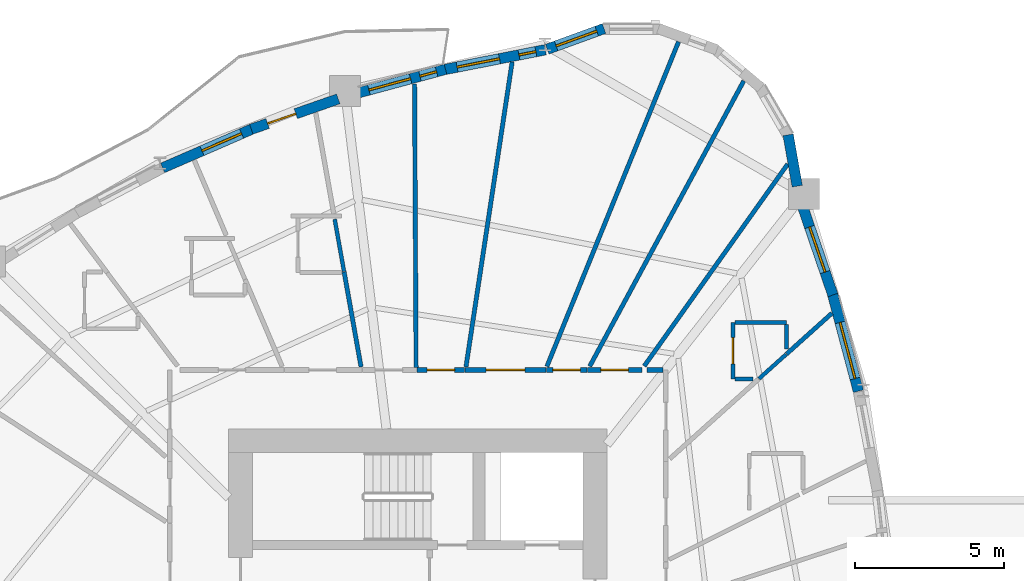
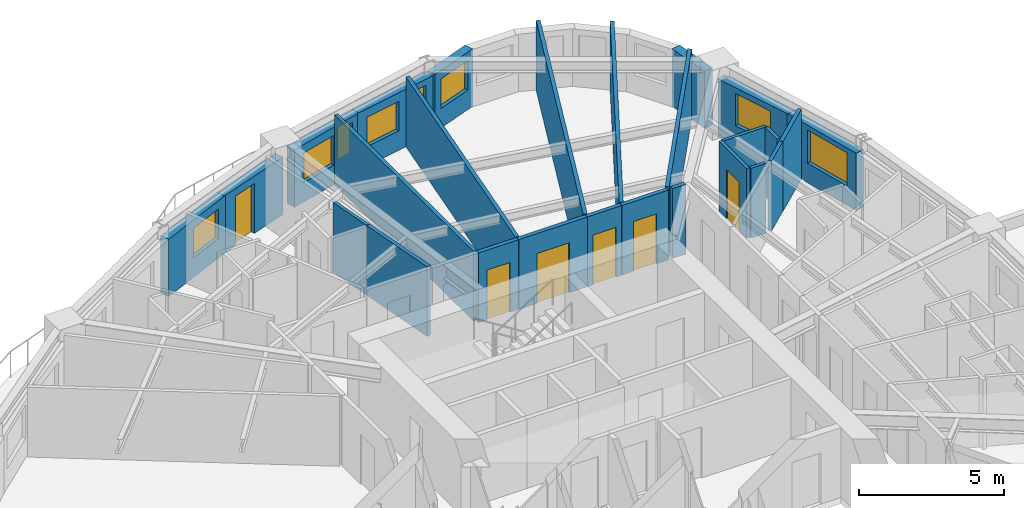
# One storey, part 9 of 15: 26 walls, 8 windows, 6 doors, 14 openings.
"""IFC4 building model written with IfcOpenShell, lengths in metres."""

from ifc_helpers import new_model, si_unit, direction, frame, frame_2d, origin, place, context, subcontext, project, spatial, rectangle, extrude, source, transform, mapped, material, layer, layer_set, type_object, element, fill, save


model = new_model("IFC4")

# Units and contexts
model_context = context("Model", 3, precision=1e-05, world=origin(), true_north=direction((0.0, 1.0)))
body_context = subcontext(model_context, "Body", "Model", "MODEL_VIEW")
ifc_project = project(units=[si_unit("LENGTHUNIT", "METRE"), si_unit("AREAUNIT", "SQUARE_METRE"), si_unit("VOLUMEUNIT", "CUBIC_METRE"), si_unit("PLANEANGLEUNIT", "RADIAN"), si_unit("MASSUNIT", "GRAM", prefix="KILO")], contexts=[model_context])

# Site, building, storey
site_placement = place(None, origin())
site = spatial("IfcSite", under=ifc_project, at=site_placement, CompositionType="ELEMENT")
building_placement = place(site_placement, origin())
building = spatial("IfcBuilding", under=site, at=building_placement, Name="Qafzar Sky-Pleat Residences", CompositionType="ELEMENT")
storey_placement = place(building_placement, frame((0.0, 0.0, 36.60009765625)))
storey = spatial("IfcBuildingStorey", under=building, at=storey_placement, Name="L10", CompositionType="ELEMENT", Elevation=36.60009765625)

# Wall, opening, door
ifc_material_1 = material(Name="Acoustic gypsum plasterboard partition", Category="gypsum")
ifc_layer_1 = layer(ifc_material_1, 0.159912109375)
ifc_layer_set_1 = layer_set([ifc_layer_1], Name="Acoustic gypsum plasterboard partition")
wall_type_1 = type_object("IfcWallType", Name="PART-COR-160", PredefinedType="PARTITIONING", material=ifc_layer_set_1)
wall_1_placement = place(storey_placement, frame((31.93798828125, 36.580078125, 0.0), z_axis=(0.0, 0.0, 1.0), x_axis=(1.0, 0.0, 0.0)))
wall_1 = element("IfcWall", 1, at=wall_1_placement, inside=storey, type_object=wall_type_1, Name="L10 Partition Wall PART-L10-PW-013", PredefinedType="PARTITIONING", context=body_context, shape_type="SweptSolid", body=[
    extrude(rectangle(XDim=2.718017578125, YDim=0.159912109375, at=frame_2d((1.35888671875, 0.0))), origin(), (0.0, 0.0, 1.0), 2.93994140625),
])
opening_1_placement = place(wall_1_placement, frame((0.7080078125, 0.0, 0.0)))
opening_1 = element("IfcOpeningElement", 2, at=opening_1_placement, cuts=wall_1, Name="Opening ID-05", PredefinedType="OPENING", context=body_context, shape_type="SweptSolid", body=[
    extrude(rectangle(XDim=1.300048828125, YDim=2.10009765625, at=frame_2d((0.64990234375, 1.050048828125))), frame((0.0, 0.08984375, 0.0), z_axis=(0.0, -1.0, 0.0), x_axis=(1.0, 0.0, 0.0)), (0.0, 0.0, 1.0), 0.179931640625),
])
ifc_material_2 = material(Name="Timber-faced fire door", Category="wood")
door_type_1 = type_object("IfcDoorType", Name="DR-LNG-1300", OperationType="DOUBLE_DOOR_SINGLE_SWING", PredefinedType="DOOR", material=ifc_material_2)
shared_shape_1 = source(origin(), body_context, "Body", "SweptSolid", [
    extrude(rectangle(XDim=1.300048828125, YDim=2.10009765625, at=frame_2d((0.64990234375, 1.050048828125))), frame((0.0, 0.02490234375, 0.0), z_axis=(0.0, -1.0, 0.0), x_axis=(1.0, 0.0, 0.0)), (0.0, 0.0, 1.0), 0.050048828125),
])
door_1_placement = place(opening_1_placement, origin())
door_1 = element("IfcDoor", 3, at=door_1_placement, inside=storey, type_object=door_type_1, Name="L10 Common Dining Room Door", OperationType="DOUBLE_DOOR_SINGLE_SWING", OverallHeight=2.10009765625, OverallWidth=1.300048828125, PredefinedType="DOOR", context=body_context, shape_type="MappedRepresentation", body=[
    mapped(shared_shape_1, transform((0.0, 0.0, 0.0), x_axis=(1.0, 0.0, 0.0), y_axis=(0.0, 1.0, 0.0), z_axis=(0.0, 0.0, 1.0), scale=1.0)),
])
fill(opening_1, door_1)

wall_2_placement = place(storey_placement, frame((36.0419921875, 36.580078125, 0.0), z_axis=(0.0, 0.0, 1.0), x_axis=(1.0, 0.0, 0.0)))
wall_2 = element("IfcWall", 4, at=wall_2_placement, inside=storey, type_object=wall_type_1, Name="L10 Partition Wall PART-L10-PW-029", PredefinedType="PARTITIONING", context=body_context, shape_type="SweptSolid", body=[
    extrude(rectangle(XDim=1.840087890625, YDim=0.159912109375, at=frame_2d((0.919921875, 0.0))), origin(), (0.0, 0.0, 1.0), 2.93994140625),
])
opening_2_placement = place(wall_2_placement, frame((0.45947265625, 0.0, 0.0)))
opening_2 = element("IfcOpeningElement", 5, at=opening_2_placement, cuts=wall_2, Name="Opening ID-04", PredefinedType="OPENING", context=body_context, shape_type="SweptSolid", body=[
    extrude(rectangle(XDim=0.919921875, YDim=2.10009765625, at=frame_2d((0.4599609375, 1.050048828125))), frame((0.0, 0.08984375, 0.0), z_axis=(0.0, -1.0, 0.0), x_axis=(1.0, 0.0, 0.0)), (0.0, 0.0, 1.0), 0.179931640625),
])
door_type_2 = type_object("IfcDoorType", Name="DR-BED-920", OperationType="NOTDEFINED", PredefinedType="DOOR", material=ifc_material_2)
shared_shape_2 = source(origin(), body_context, "Body", "SweptSolid", [
    extrude(rectangle(XDim=0.919921875, YDim=2.10009765625, at=frame_2d((0.4599609375, 1.050048828125))), frame((0.0, 0.02490234375, 0.0), z_axis=(0.0, -1.0, 0.0), x_axis=(1.0, 0.0, 0.0)), (0.0, 0.0, 1.0), 0.050048828125),
])
door_2_placement = place(opening_2_placement, origin())
door_2 = element("IfcDoor", 6, at=door_2_placement, inside=storey, type_object=door_type_2, Name="L10 Co-Living Bedroom 10 Door", OperationType="SINGLE_SWING_LEFT", OverallHeight=2.10009765625, OverallWidth=0.919921875, PredefinedType="DOOR", context=body_context, shape_type="MappedRepresentation", body=[
    mapped(shared_shape_2, transform((0.0, 0.0, 0.0), x_axis=(1.0, 0.0, 0.0), y_axis=(0.0, 1.0, 0.0), z_axis=(0.0, 0.0, 1.0), scale=1.0)),
])
fill(opening_2, door_2)

wall_3_placement = place(storey_placement, frame((30.323974609375, 36.580078125, 0.0), z_axis=(0.0, 0.0, 1.0), x_axis=(1.0, 0.0, 0.0)))
wall_3 = element("IfcWall", 7, at=wall_3_placement, inside=storey, type_object=wall_type_1, Name="L10 Partition Wall PART-L10-PW-032", PredefinedType="PARTITIONING", context=body_context, shape_type="SweptSolid", body=[
    extrude(rectangle(XDim=1.59912109375, YDim=0.159912109375, at=frame_2d((0.799560546875, 0.0))), origin(), (0.0, 0.0, 1.0), 2.93994140625),
])
opening_3_placement = place(wall_3_placement, frame((0.339599609375, 0.0, 0.0)))
opening_3 = element("IfcOpeningElement", 8, at=opening_3_placement, cuts=wall_3, Name="Opening ID-04", PredefinedType="OPENING", context=body_context, shape_type="SweptSolid", body=[
    extrude(rectangle(XDim=0.919921875, YDim=2.10009765625, at=frame_2d((0.4599609375, 1.050048828125))), frame((0.0, 0.08984375, 0.0), z_axis=(0.0, -1.0, 0.0), x_axis=(1.0, 0.0, 0.0)), (0.0, 0.0, 1.0), 0.179931640625),
])
door_3_placement = place(opening_3_placement, origin())
door_3 = element("IfcDoor", 9, at=door_3_placement, inside=storey, type_object=door_type_2, Name="L10 Co-Living Bedroom 12 Door", OperationType="SINGLE_SWING_RIGHT", OverallHeight=2.10009765625, OverallWidth=0.919921875, PredefinedType="DOOR", context=body_context, shape_type="MappedRepresentation", body=[
    mapped(shared_shape_2, transform((0.0, 0.0, 0.0), x_axis=(1.0, 0.0, 0.0), y_axis=(0.0, 1.0, 0.0), z_axis=(0.0, 0.0, 1.0), scale=1.0)),
])
fill(opening_3, door_3)

wall_4_placement = place(storey_placement, frame((34.6708984375, 36.580078125, 0.0), z_axis=(0.0, 0.0, 1.0), x_axis=(1.0, 0.0, 0.0)))
wall_4 = element("IfcWall", 10, at=wall_4_placement, inside=storey, type_object=wall_type_1, Name="L10 Partition Wall PART-L10-PW-034", PredefinedType="PARTITIONING", context=body_context, shape_type="SweptSolid", body=[
    extrude(rectangle(XDim=1.356201171875, YDim=0.159912109375, at=frame_2d((0.67822265625, 0.0))), origin(), (0.0, 0.0, 1.0), 2.93994140625),
])
opening_4_placement = place(wall_4_placement, frame((0.218017578125, 0.0, 0.0)))
opening_4 = element("IfcOpeningElement", 11, at=opening_4_placement, cuts=wall_4, Name="Opening ID-04", PredefinedType="OPENING", context=body_context, shape_type="SweptSolid", body=[
    extrude(rectangle(XDim=0.919921875, YDim=2.10009765625, at=frame_2d((0.4599609375, 1.050048828125))), frame((0.0, 0.08984375, 0.0), z_axis=(0.0, -1.0, 0.0), x_axis=(1.0, 0.0, 0.0)), (0.0, 0.0, 1.0), 0.179931640625),
])
door_4_placement = place(opening_4_placement, origin())
door_4 = element("IfcDoor", 12, at=door_4_placement, inside=storey, type_object=door_type_2, Name="L10 Co-Living Bedroom 9 Door", OperationType="SINGLE_SWING_RIGHT", OverallHeight=2.10009765625, OverallWidth=0.919921875, PredefinedType="DOOR", context=body_context, shape_type="MappedRepresentation", body=[
    mapped(shared_shape_2, transform((0.0, 0.0, 0.0), x_axis=(1.0, 0.0, 0.0), y_axis=(0.0, 1.0, 0.0), z_axis=(0.0, 0.0, 1.0), scale=1.0)),
])
fill(opening_4, door_4)

# Walls
wall_5_placement = place(storey_placement, frame((38.05078125, 36.580078125, 0.0), z_axis=(0.0, 0.0, 1.0), x_axis=(1.0, 0.0, 0.0)))
element("IfcWall", 13, at=wall_5_placement, inside=storey, type_object=wall_type_1, Name="L10 Partition Wall PART-L10-PW-105", PredefinedType="PARTITIONING", context=body_context, shape_type="SweptSolid", body=[
    extrude(rectangle(XDim=0.541259765625, YDim=0.159912109375, at=frame_2d((0.2705078125, 0.0))), origin(), (0.0, 0.0, 1.0), 2.93994140625),
])
ifc_layer_2 = layer(ifc_material_1, 0.14501953125)
ifc_layer_set_2 = layer_set([ifc_layer_2], Name="Acoustic gypsum plasterboard partition")
wall_type_2 = type_object("IfcWallType", Name="PART-UNIT-145", PredefinedType="PARTITIONING", material=ifc_layer_set_2)
wall_6_placement = place(storey_placement, frame((34.685546875, 36.694580078125, 0.0), z_axis=(0.0, 0.0, 1.0), x_axis=(0.375735926904, 0.926726773776, 0.0)))
element("IfcWall", 14, at=wall_6_placement, inside=storey, type_object=wall_type_2, Name="L10 Partition Wall PART-L10-PW-036", PredefinedType="PARTITIONING", context=body_context, shape_type="SweptSolid", body=[
    extrude(rectangle(XDim=11.7685546875, YDim=0.14501953125, at=frame_2d((5.88427734375, 0.0))), origin(), (0.0, 0.0, 1.0), 2.93994140625),
])
wall_7_placement = place(storey_placement, frame((36.12451171875, 36.701416015625, 0.0), z_axis=(0.0, 0.0, 1.0), x_axis=(0.474948586069, 0.880013545686, 0.0)))
element("IfcWall", 15, at=wall_7_placement, inside=storey, type_object=wall_type_2, Name="L10 Partition Wall PART-L10-PW-038", PredefinedType="PARTITIONING", context=body_context, shape_type="SweptSolid", body=[
    extrude(rectangle(XDim=10.889404296875, YDim=0.14501953125, at=frame_2d((5.44482421875, 0.0))), origin(), (0.0, 0.0, 1.0), 2.93994140625),
])
wall_8_placement = place(storey_placement, frame((31.968017578125, 36.6787109375, 0.0), z_axis=(0.0, 0.0, 1.0), x_axis=(0.149735581821, 0.9887260771, 0.0)))
element("IfcWall", 16, at=wall_8_placement, inside=storey, type_object=wall_type_2, Name="L10 Partition Wall PART-L10-PW-040", PredefinedType="PARTITIONING", context=body_context, shape_type="SweptSolid", body=[
    extrude(rectangle(XDim=10.361572265625, YDim=0.14501953125, at=frame_2d((5.1806640625, 0.0))), origin(), (0.0, 0.0, 1.0), 2.93994140625),
])
wall_9_placement = place(storey_placement, frame((30.2421875, 46.18798828125, 0.0), z_axis=(0.0, 0.0, 1.0), x_axis=(0.00538564204, -0.999985497325, 0.0)))
element("IfcWall", 17, at=wall_9_placement, inside=storey, type_object=wall_type_2, Name="L10 Partition Wall PART-L10-PW-042", PredefinedType="PARTITIONING", context=body_context, shape_type="SweptSolid", body=[
    extrude(rectangle(XDim=9.519775390625, YDim=0.14501953125, at=frame_2d((4.759765625, 0.0))), origin(), (0.0, 0.0, 1.0), 2.93994140625),
])
wall_10_placement = place(storey_placement, frame((37.955078125, 36.70849609375, 0.0), z_axis=(0.0, 0.0, 1.0), x_axis=(0.578991718582, 0.81533342248, 0.0)))
element("IfcWall", 18, at=wall_10_placement, inside=storey, type_object=wall_type_2, Name="L10 Partition Wall PART-L10-PW-044", PredefinedType="PARTITIONING", context=body_context, shape_type="SweptSolid", body=[
    extrude(rectangle(XDim=8.324951171875, YDim=0.14501953125, at=frame_2d((4.16259765625, 0.0))), origin(), (0.0, 0.0, 1.0), 2.93994140625),
])
wall_11_placement = place(storey_placement, frame((27.8759765625, 39.8701171875, 0.0), z_axis=(0.0, 0.0, 1.0), x_axis=(0.175655014507, -0.984451784436, 0.0)))
element("IfcWall", 19, at=wall_11_placement, inside=storey, type_object=wall_type_2, Name="L10 Partition Wall PART-L10-PW-058", PredefinedType="PARTITIONING", context=body_context, shape_type="SweptSolid", body=[
    extrude(rectangle(XDim=3.23974609375, YDim=0.14501953125, at=frame_2d((1.619873046875, 0.0))), origin(), (0.0, 0.0, 1.0), 2.93994140625),
])
wall_12_placement = place(storey_placement, frame((42.73388671875, 37.114013671875, 0.0), z_axis=(0.0, 0.0, 1.0), x_axis=(0.743962922365, 0.668220899214, 0.0)))
element("IfcWall", 20, at=wall_12_placement, inside=storey, type_object=wall_type_2, Name="L10 Partition Wall PART-L10-PW-069", PredefinedType="PARTITIONING", context=body_context, shape_type="SweptSolid", body=[
    extrude(rectangle(XDim=2.050048828125, YDim=0.14501953125, at=frame_2d((1.02490234375, 0.0))), origin(), (0.0, 0.0, 1.0), 2.93994140625),
])

# Wall, opening, door
ifc_material_3 = material(Name="Moisture-resistant gypsum partition", Category="gypsum")
ifc_layer_3 = layer(ifc_material_3, 0.1298828125)
ifc_layer_set_3 = layer_set([ifc_layer_3], Name="Moisture-resistant gypsum partition")
wall_type_3 = type_object("IfcWallType", Name="PART-WET-130", PredefinedType="PARTITIONING", material=ifc_layer_set_3)
wall_13_placement = place(storey_placement, frame((40.93408203125, 38.172119140625, 0.0), z_axis=(0.0, 0.0, 1.0), x_axis=(0.0, -1.0, 0.0)))
wall_13 = element("IfcWall", 21, at=wall_13_placement, inside=storey, type_object=wall_type_3, Name="L10 Partition Wall PART-L10-PW-025", PredefinedType="PARTITIONING", context=body_context, shape_type="SweptSolid", body=[
    extrude(rectangle(XDim=1.900146484375, YDim=0.1298828125, at=frame_2d((0.9501953125, 0.0))), origin(), (0.0, 0.0, 1.0), 2.93994140625),
])
opening_5_placement = place(wall_13_placement, frame((0.510009765625, 0.0, 0.0)))
opening_5 = element("IfcOpeningElement", 22, at=opening_5_placement, cuts=wall_13, Name="Opening ID-07", PredefinedType="OPENING", context=body_context, shape_type="SweptSolid", body=[
    extrude(rectangle(XDim=0.8798828125, YDim=2.050048828125, at=frame_2d((0.43994140625, 1.02490234375))), frame((0.0, 0.074951171875, 0.0), z_axis=(0.0, -1.0, 0.0), x_axis=(1.0, 0.0, 0.0)), (0.0, 0.0, 1.0), 0.14990234375),
])
door_type_3 = type_object("IfcDoorType", Name="DR-WET-880", OperationType="NOTDEFINED", PredefinedType="DOOR", material=ifc_material_2)
shared_shape_3 = source(origin(), body_context, "Body", "SweptSolid", [
    extrude(rectangle(XDim=0.8798828125, YDim=2.050048828125, at=frame_2d((0.43994140625, 1.02490234375))), frame((0.0, 0.02490234375, 0.0), z_axis=(0.0, -1.0, 0.0), x_axis=(1.0, 0.0, 0.0)), (0.0, 0.0, 1.0), 0.050048828125),
])
door_5_placement = place(opening_5_placement, origin())
door_5 = element("IfcDoor", 23, at=door_5_placement, inside=storey, type_object=door_type_3, Name="L10 En-suite Bathroom 7 Door", OperationType="SINGLE_SWING_LEFT", OverallHeight=2.050048828125, OverallWidth=0.8798828125, PredefinedType="DOOR", context=body_context, shape_type="MappedRepresentation", body=[
    mapped(shared_shape_3, transform((0.0, 0.0, 0.0), x_axis=(1.0, 0.0, 0.0), y_axis=(0.0, 1.0, 0.0), z_axis=(0.0, 0.0, 1.0), scale=1.0)),
])
fill(opening_5, door_5)

# Walls
wall_14_placement = place(storey_placement, frame((27.56005859375, 41.640869140625, 0.0), z_axis=(0.0, 0.0, 1.0), x_axis=(0.175463771609, -0.9844858886, 0.0)))
element("IfcWall", 24, at=wall_14_placement, inside=storey, type_object=wall_type_3, Name="L10 Partition Wall PART-L10-PW-071", PredefinedType="PARTITIONING", context=body_context, shape_type="SweptSolid", body=[
    extrude(rectangle(XDim=1.78369140625, YDim=0.1298828125, at=frame_2d((0.891845703125, 0.0))), origin(), (0.0, 0.0, 1.0), 2.93994140625),
])
wall_15_placement = place(storey_placement, frame((41.007080078125, 38.172119140625, 0.0), z_axis=(0.0, 0.0, 1.0), x_axis=(1.0, 0.0, 0.0)))
element("IfcWall", 25, at=wall_15_placement, inside=storey, type_object=wall_type_3, Name="L10 Partition Wall PART-L10-PW-076", PredefinedType="PARTITIONING", context=body_context, shape_type="SweptSolid", body=[
    extrude(rectangle(XDim=1.726806640625, YDim=0.1298828125, at=frame_2d((0.86328125, 0.0))), origin(), (0.0, 0.0, 1.0), 2.93994140625),
])
wall_16_placement = place(storey_placement, frame((41.80615234375, 36.281982421875, 0.0), z_axis=(0.0, 0.0, 1.0), x_axis=(0.744525261569, 0.667594289135, 0.0)))
element("IfcWall", 26, at=wall_16_placement, inside=storey, type_object=wall_type_3, Name="L10 Partition Wall PART-L10-PW-094", PredefinedType="PARTITIONING", context=body_context, shape_type="SweptSolid", body=[
    extrude(rectangle(XDim=1.231201171875, YDim=0.1298828125, at=frame_2d((0.61572265625, 0.0))), origin(), (0.0, 0.0, 1.0), 2.93994140625),
])
wall_17_placement = place(storey_placement, frame((42.73388671875, 37.27783203125, 0.0), z_axis=(0.0, 0.0, 1.0), x_axis=(0.0, 1.0, 0.0)))
element("IfcWall", 27, at=wall_17_placement, inside=storey, type_object=wall_type_3, Name="L10 Partition Wall PART-L10-PW-101", PredefinedType="PARTITIONING", context=body_context, shape_type="SweptSolid", body=[
    extrude(rectangle(XDim=0.8212890625, YDim=0.1298828125, at=frame_2d((0.41064453125, 0.0))), origin(), (0.0, 0.0, 1.0), 2.93994140625),
])
wall_18_placement = place(storey_placement, frame((41.007080078125, 36.27197265625, 0.0), z_axis=(0.0, 0.0, 1.0), x_axis=(1.0, 0.0, 0.0)))
element("IfcWall", 28, at=wall_18_placement, inside=storey, type_object=wall_type_3, Name="L10 Partition Wall PART-L10-PW-103", PredefinedType="PARTITIONING", context=body_context, shape_type="SweptSolid", body=[
    extrude(rectangle(XDim=0.598876953125, YDim=0.1298828125, at=frame_2d((0.29931640625, 0.0))), origin(), (0.0, 0.0, 1.0), 2.93994140625),
])

# Wall, opening, window
ifc_material_4 = material(Name="Precast concrete C40/50 with honed Riyadh limestone", Category="concrete")
ifc_layer_4 = layer(ifc_material_4, 0.35009765625)
ifc_layer_set_4 = layer_set([ifc_layer_4], Name="Precast concrete C40/50 with honed Riyadh limestone")
wall_type_4 = type_object("IfcWallType", Name="WALL-EXT-350", PredefinedType="SOLIDWALL", material=ifc_layer_set_4)
wall_19_placement = place(storey_placement, frame((45.147705078125, 35.865234375, 0.0), z_axis=(0.0, 0.0, 1.0), x_axis=(-0.257064434129, 0.966394265663, 0.0)))
wall_19 = element("IfcWall", 29, at=wall_19_placement, inside=storey, type_object=wall_type_4, Name="L10 Limestone Facade Wall 31", PredefinedType="SOLIDWALL", context=body_context, shape_type="SweptSolid", body=[
    extrude(rectangle(XDim=3.429443359375, YDim=0.35009765625, at=frame_2d((1.71484375, 0.0))), origin(), (0.0, 0.0, 1.0), 2.419921875),
])
opening_6_placement = place(wall_19_placement, frame((0.439697265625, 0.0, 0.820068359375)))
opening_6 = element("IfcOpeningElement", 30, at=opening_6_placement, cuts=wall_19, Name="Opening WN-08", PredefinedType="OPENING", context=body_context, shape_type="SweptSolid", body=[
    extrude(rectangle(XDim=1.949951171875, YDim=1.39990234375, at=frame_2d((0.97509765625, 0.699951171875))), frame((0.0, 0.18505859375, 0.0), z_axis=(0.0, -1.0, 0.0), x_axis=(1.0, 0.0, 0.0)), (0.0, 0.0, 1.0), 0.3701171875),
])
ifc_material_5 = material(Name="Solar-control low-E glass in bronze aluminium frame", Category="glass")
window_type_1 = type_object("IfcWindowType", Name="WIN-08", PartitioningType="DOUBLE_PANEL_VERTICAL", PredefinedType="WINDOW", material=ifc_material_5)
shared_shape_4 = source(origin(), body_context, "Body", "SweptSolid", [
    extrude(rectangle(XDim=1.949951171875, YDim=1.39990234375, at=frame_2d((0.97509765625, 0.699951171875))), frame((0.0, 0.030029296875, 0.0), z_axis=(0.0, -1.0, 0.0), x_axis=(1.0, 0.0, 0.0)), (0.0, 0.0, 1.0), 0.06005859375),
])
window_1_placement = place(opening_6_placement, origin())
window_1 = element("IfcWindow", 31, at=window_1_placement, inside=storey, type_object=window_type_1, Name="L10 Punched Facade Window 31", OverallHeight=1.39990234375, OverallWidth=1.949951171875, PartitioningType="SINGLE_PANEL", PredefinedType="WINDOW", context=body_context, shape_type="MappedRepresentation", body=[
    mapped(shared_shape_4, transform((0.0, 0.0, 0.0), x_axis=(1.0, 0.0, 0.0), y_axis=(0.0, 1.0, 0.0), z_axis=(0.0, 0.0, 1.0), scale=1.0)),
])
fill(opening_6, window_1)

wall_20_placement = place(storey_placement, frame((44.291748046875, 39.09521484375, 0.0), z_axis=(0.0, 0.0, 1.0), x_axis=(-0.323582370233, 0.946200005112, 0.0)))
wall_20 = element("IfcWall", 32, at=wall_20_placement, inside=storey, type_object=wall_type_4, Name="L10 Limestone Facade Wall 32", PredefinedType="SOLIDWALL", context=body_context, shape_type="SweptSolid", body=[
    extrude(rectangle(XDim=3.222412109375, YDim=0.35009765625, at=frame_2d((1.611328125, 0.0))), origin(), (0.0, 0.0, 1.0), 2.419921875),
])
opening_7_placement = place(wall_20_placement, frame((0.816162109375, 0.0, 0.820068359375)))
opening_7 = element("IfcOpeningElement", 33, at=opening_7_placement, cuts=wall_20, Name="Opening WN-09", PredefinedType="OPENING", context=body_context, shape_type="SweptSolid", body=[
    extrude(rectangle(XDim=1.60009765625, YDim=1.35009765625, at=frame_2d((0.800048828125, 0.675048828125))), frame((0.0, 0.18505859375, 0.0), z_axis=(0.0, -1.0, 0.0), x_axis=(1.0, 0.0, 0.0)), (0.0, 0.0, 1.0), 0.3701171875),
])
window_type_2 = type_object("IfcWindowType", Name="WIN-09", PartitioningType="DOUBLE_PANEL_VERTICAL", PredefinedType="WINDOW", material=ifc_material_5)
shared_shape_5 = source(origin(), body_context, "Body", "SweptSolid", [
    extrude(rectangle(XDim=1.60009765625, YDim=1.35009765625, at=frame_2d((0.800048828125, 0.675048828125))), frame((0.0, 0.030029296875, 0.0), z_axis=(0.0, -1.0, 0.0), x_axis=(1.0, 0.0, 0.0)), (0.0, 0.0, 1.0), 0.06005859375),
])
window_2_placement = place(opening_7_placement, origin())
window_2 = element("IfcWindow", 34, at=window_2_placement, inside=storey, type_object=window_type_2, Name="L10 Punched Facade Window 32", OverallHeight=1.35009765625, OverallWidth=1.60009765625, PartitioningType="SINGLE_PANEL", PredefinedType="WINDOW", context=body_context, shape_type="MappedRepresentation", body=[
    mapped(shared_shape_5, transform((0.0, 0.0, 0.0), x_axis=(1.0, 0.0, 0.0), y_axis=(0.0, 1.0, 0.0), z_axis=(0.0, 0.0, 1.0), scale=1.0)),
])
fill(opening_7, window_2)

# Wall
wall_21_placement = place(storey_placement, frame((43.093017578125, 42.75, 0.0), z_axis=(0.0, 0.0, 1.0), x_axis=(-0.173610462023, 0.984814402553, 0.0)))
element("IfcWall", 35, at=wall_21_placement, inside=storey, type_object=wall_type_4, Name="L10 Limestone Facade Wall 33", PredefinedType="SOLIDWALL", context=body_context, shape_type="SweptSolid", body=[
    extrude(rectangle(XDim=1.752197265625, YDim=0.35009765625, at=frame_2d((0.8759765625, 0.0))), origin(), (0.0, 0.0, 1.0), 2.419921875),
])

# Wall, opening, window
wall_22_placement = place(storey_placement, frame((36.60595703125, 48.04541015625, 0.0), z_axis=(0.0, 0.0, 1.0), x_axis=(-0.939653047052, -0.342128851701, 0.0)))
wall_22 = element("IfcWall", 36, at=wall_22_placement, inside=storey, type_object=wall_type_4, Name="L10 Limestone Facade Wall 38", PredefinedType="SOLIDWALL", context=body_context, shape_type="SweptSolid", body=[
    extrude(rectangle(XDim=2.0322265625, YDim=0.35009765625, at=frame_2d((1.01611328125, 0.0))), origin(), (0.0, 0.0, 1.0), 2.419921875),
])
opening_8_placement = place(wall_22_placement, frame((0.26123046875, 0.0, 0.820068359375)))
opening_8 = element("IfcOpeningElement", 37, at=opening_8_placement, cuts=wall_22, Name="Opening WN-15", PredefinedType="OPENING", context=body_context, shape_type="SweptSolid", body=[
    extrude(rectangle(XDim=1.449951171875, YDim=1.25, at=frame_2d((0.72509765625, 0.625))), frame((0.0, 0.18505859375, 0.0), z_axis=(0.0, -1.0, 0.0), x_axis=(1.0, 0.0, 0.0)), (0.0, 0.0, 1.0), 0.3701171875),
])
window_type_3 = type_object("IfcWindowType", Name="WIN-15", PartitioningType="SINGLE_PANEL", PredefinedType="WINDOW", material=ifc_material_5)
shared_shape_6 = source(origin(), body_context, "Body", "SweptSolid", [
    extrude(rectangle(XDim=1.449951171875, YDim=1.25, at=frame_2d((0.72509765625, 0.625))), frame((0.0, 0.030029296875, 0.0), z_axis=(0.0, -1.0, 0.0), x_axis=(1.0, 0.0, 0.0)), (0.0, 0.0, 1.0), 0.06005859375),
])
window_3_placement = place(opening_8_placement, origin())
window_3 = element("IfcWindow", 38, at=window_3_placement, inside=storey, type_object=window_type_3, Name="L10 Punched Facade Window 38", OverallHeight=1.25, OverallWidth=1.449951171875, PartitioningType="SINGLE_PANEL", PredefinedType="WINDOW", context=body_context, shape_type="MappedRepresentation", body=[
    mapped(shared_shape_6, transform((0.0, 0.0, 0.0), x_axis=(1.0, 0.0, 0.0), y_axis=(0.0, 1.0, 0.0), z_axis=(0.0, 0.0, 1.0), scale=1.0)),
])
fill(opening_8, window_3)

# Wall, openings, windows
wall_23_placement = place(storey_placement, frame((34.631591796875, 47.33203125, 0.0), z_axis=(0.0, 0.0, 1.0), x_axis=(-0.981234691866, -0.192817217796, 0.0)))
wall_23 = element("IfcWall", 39, at=wall_23_placement, inside=storey, type_object=wall_type_4, Name="L10 Limestone Facade Wall 39", PredefinedType="SOLIDWALL", context=body_context, shape_type="SweptSolid", body=[
    extrude(rectangle(XDim=3.502197265625, YDim=0.35009765625, at=frame_2d((1.7509765625, 0.0))), origin(), (0.0, 0.0, 1.0), 2.419921875),
])
opening_9_placement = place(wall_23_placement, frame((0.321044921875, 0.0, 0.820068359375)))
opening_9 = element("IfcOpeningElement", 40, at=opening_9_placement, cuts=wall_23, Name="Opening WN-17", PredefinedType="OPENING", context=body_context, shape_type="SweptSolid", body=[
    extrude(rectangle(XDim=0.580078125, YDim=1.35009765625, at=frame_2d((0.2900390625, 0.675048828125))), frame((0.0, 0.18505859375, 0.0), z_axis=(0.0, -1.0, 0.0), x_axis=(1.0, 0.0, 0.0)), (0.0, 0.0, 1.0), 0.3701171875),
])
opening_10_placement = place(wall_23_placement, frame((1.5673828125, 0.0, 0.820068359375)))
opening_10 = element("IfcOpeningElement", 41, at=opening_10_placement, cuts=wall_23, Name="Opening WN-15", PredefinedType="OPENING", context=body_context, shape_type="SweptSolid", body=[
    extrude(rectangle(XDim=1.449951171875, YDim=1.25, at=frame_2d((0.72509765625, 0.625))), frame((0.0, 0.18505859375, 0.0), z_axis=(0.0, -1.0, 0.0), x_axis=(1.0, 0.0, 0.0)), (0.0, 0.0, 1.0), 0.3701171875),
])
window_4_placement = place(opening_10_placement, origin())
window_4 = element("IfcWindow", 42, at=window_4_placement, inside=storey, type_object=window_type_3, Name="L10 Punched Facade Window 39-2", OverallHeight=1.25, OverallWidth=1.449951171875, PartitioningType="SINGLE_PANEL", PredefinedType="WINDOW", context=body_context, shape_type="MappedRepresentation", body=[
    mapped(shared_shape_6, transform((0.0, 0.0, 0.0), x_axis=(1.0, 0.0, 0.0), y_axis=(0.0, 1.0, 0.0), z_axis=(0.0, 0.0, 1.0), scale=1.0)),
])
fill(opening_10, window_4)
window_type_4 = type_object("IfcWindowType", Name="WIN-17", PartitioningType="SINGLE_PANEL", PredefinedType="WINDOW", material=ifc_material_5)
shared_shape_7 = source(origin(), body_context, "Body", "SweptSolid", [
    extrude(rectangle(XDim=0.580078125, YDim=1.35009765625, at=frame_2d((0.2900390625, 0.675048828125))), frame((0.0, 0.030029296875, 0.0), z_axis=(0.0, -1.0, 0.0), x_axis=(1.0, 0.0, 0.0)), (0.0, 0.0, 1.0), 0.06005859375),
])
window_5_placement = place(opening_9_placement, origin())
window_5 = element("IfcWindow", 43, at=window_5_placement, inside=storey, type_object=window_type_4, Name="L10 Punched Facade Window 39", OverallHeight=1.35009765625, OverallWidth=0.580078125, PartitioningType="SINGLE_PANEL", PredefinedType="WINDOW", context=body_context, shape_type="MappedRepresentation", body=[
    mapped(shared_shape_7, transform((0.0, 0.0, 0.0), x_axis=(1.0, 0.0, 0.0), y_axis=(0.0, 1.0, 0.0), z_axis=(0.0, 0.0, 1.0), scale=1.0)),
])
fill(opening_9, window_5)

wall_24_placement = place(storey_placement, frame((31.28076171875, 46.6767578125, 0.0), z_axis=(0.0, 0.0, 1.0), x_axis=(-0.965445661484, -0.260604441101, 0.0)))
wall_24 = element("IfcWall", 44, at=wall_24_placement, inside=storey, type_object=wall_type_4, Name="L10 Limestone Facade Wall 40", PredefinedType="SOLIDWALL", context=body_context, shape_type="SweptSolid", body=[
    extrude(rectangle(XDim=3.149658203125, YDim=0.35009765625, at=frame_2d((1.57470703125, 0.0))), origin(), (0.0, 0.0, 1.0), 2.419921875),
])
opening_11_placement = place(wall_24_placement, frame((0.31005859375, 0.0, 0.820068359375)))
opening_11 = element("IfcOpeningElement", 45, at=opening_11_placement, cuts=wall_24, Name="Opening WN-17", PredefinedType="OPENING", context=body_context, shape_type="SweptSolid", body=[
    extrude(rectangle(XDim=0.580078125, YDim=1.35009765625, at=frame_2d((0.2900390625, 0.675048828125))), frame((0.0, 0.18505859375, 0.0), z_axis=(0.0, -1.0, 0.0), x_axis=(1.0, 0.0, 0.0)), (0.0, 0.0, 1.0), 0.3701171875),
])
opening_12_placement = place(wall_24_placement, frame((1.215087890625, 0.0, 0.820068359375)))
opening_12 = element("IfcOpeningElement", 46, at=opening_12_placement, cuts=wall_24, Name="Opening WN-15", PredefinedType="OPENING", context=body_context, shape_type="SweptSolid", body=[
    extrude(rectangle(XDim=1.449951171875, YDim=1.25, at=frame_2d((0.72509765625, 0.625))), frame((0.0, 0.18505859375, 0.0), z_axis=(0.0, -1.0, 0.0), x_axis=(1.0, 0.0, 0.0)), (0.0, 0.0, 1.0), 0.3701171875),
])
window_6_placement = place(opening_12_placement, origin())
window_6 = element("IfcWindow", 47, at=window_6_placement, inside=storey, type_object=window_type_3, Name="L10 Punched Facade Window 40-2", OverallHeight=1.25, OverallWidth=1.449951171875, PartitioningType="SINGLE_PANEL", PredefinedType="WINDOW", context=body_context, shape_type="MappedRepresentation", body=[
    mapped(shared_shape_6, transform((0.0, 0.0, 0.0), x_axis=(1.0, 0.0, 0.0), y_axis=(0.0, 1.0, 0.0), z_axis=(0.0, 0.0, 1.0), scale=1.0)),
])
fill(opening_12, window_6)
window_7_placement = place(opening_11_placement, origin())
window_7 = element("IfcWindow", 48, at=window_7_placement, inside=storey, type_object=window_type_4, Name="L10 Punched Facade Window 40", OverallHeight=1.35009765625, OverallWidth=0.580078125, PartitioningType="SINGLE_PANEL", PredefinedType="WINDOW", context=body_context, shape_type="MappedRepresentation", body=[
    mapped(shared_shape_7, transform((0.0, 0.0, 0.0), x_axis=(1.0, 0.0, 0.0), y_axis=(0.0, 1.0, 0.0), z_axis=(0.0, 0.0, 1.0), scale=1.0)),
])
fill(opening_11, window_7)

# Wall, opening, door
wall_25_placement = place(storey_placement, frame((27.67919921875, 45.6826171875, 0.0), z_axis=(0.0, 0.0, 1.0), x_axis=(-0.944147093892, -0.32952430122, 0.0)))
wall_25 = element("IfcWall", 49, at=wall_25_placement, inside=storey, type_object=wall_type_4, Name="L10 Limestone Facade Wall 41", PredefinedType="SOLIDWALL", context=body_context, shape_type="SweptSolid", body=[
    extrude(rectangle(XDim=3.093994140625, YDim=0.35009765625, at=frame_2d((1.546875, 0.0))), origin(), (0.0, 0.0, 1.0), 2.419921875),
])
opening_13_placement = place(wall_25_placement, frame((1.510986328125, 0.0, 0.0)))
opening_13 = element("IfcOpeningElement", 50, at=opening_13_placement, cuts=wall_25, Name="Opening ED-05", PredefinedType="OPENING", context=body_context, shape_type="SweptSolid", body=[
    extrude(rectangle(XDim=1.0, YDim=2.10009765625, at=frame_2d((0.5, 1.050048828125))), frame((0.0, 0.18505859375, 0.0), z_axis=(0.0, -1.0, 0.0), x_axis=(1.0, 0.0, 0.0)), (0.0, 0.0, 1.0), 0.3701171875),
])
ifc_material_6 = material(Name="Glazed bronze aluminium door", Category="aluminium")
door_type_4 = type_object("IfcDoorType", Name="DR-BAL-1000", OperationType="NOTDEFINED", PredefinedType="DOOR", material=ifc_material_6)
shared_shape_8 = source(origin(), body_context, "Body", "SweptSolid", [
    extrude(rectangle(XDim=1.0, YDim=2.10009765625, at=frame_2d((0.5, 1.050048828125))), frame((0.0, 0.02490234375, 0.0), z_axis=(0.0, -1.0, 0.0), x_axis=(1.0, 0.0, 0.0)), (0.0, 0.0, 1.0), 0.050048828125),
])
door_6_placement = place(opening_13_placement, origin())
door_6 = element("IfcDoor", 51, at=door_6_placement, inside=storey, type_object=door_type_4, Name="L10 Glazed Balcony Door 1", OperationType="SINGLE_SWING_LEFT", OverallHeight=2.10009765625, OverallWidth=1.0, PredefinedType="DOOR", context=body_context, shape_type="MappedRepresentation", body=[
    mapped(shared_shape_8, transform((0.0, 0.0, 0.0), x_axis=(1.0, 0.0, 0.0), y_axis=(0.0, 1.0, 0.0), z_axis=(0.0, 0.0, 1.0), scale=1.0)),
])
fill(opening_13, door_6)

# Wall, opening, window
wall_26_placement = place(storey_placement, frame((24.8408203125, 44.695556640625, 0.0), z_axis=(0.0, 0.0, 1.0), x_axis=(-0.917061912289, -0.398744842009, 0.0)))
wall_26 = element("IfcWall", 52, at=wall_26_placement, inside=storey, type_object=wall_type_4, Name="L10 Limestone Facade Wall 42", PredefinedType="SOLIDWALL", context=body_context, shape_type="SweptSolid", body=[
    extrude(rectangle(XDim=3.336181640625, YDim=0.35009765625, at=frame_2d((1.66796875, 0.0))), origin(), (0.0, 0.0, 1.0), 2.419921875),
])
opening_14_placement = place(wall_26_placement, frame((0.445068359375, 0.0, 0.820068359375)))
opening_14 = element("IfcOpeningElement", 53, at=opening_14_placement, cuts=wall_26, Name="Opening WN-15", PredefinedType="OPENING", context=body_context, shape_type="SweptSolid", body=[
    extrude(rectangle(XDim=1.449951171875, YDim=1.25, at=frame_2d((0.72509765625, 0.625))), frame((0.0, 0.18505859375, 0.0), z_axis=(0.0, -1.0, 0.0), x_axis=(1.0, 0.0, 0.0)), (0.0, 0.0, 1.0), 0.3701171875),
])
window_8_placement = place(opening_14_placement, origin())
window_8 = element("IfcWindow", 54, at=window_8_placement, inside=storey, type_object=window_type_3, Name="L10 Punched Facade Window 42", OverallHeight=1.25, OverallWidth=1.449951171875, PartitioningType="SINGLE_PANEL", PredefinedType="WINDOW", context=body_context, shape_type="MappedRepresentation", body=[
    mapped(shared_shape_6, transform((0.0, 0.0, 0.0), x_axis=(1.0, 0.0, 0.0), y_axis=(0.0, 1.0, 0.0), z_axis=(0.0, 0.0, 1.0), scale=1.0)),
])
fill(opening_14, window_8)

save(model, "model.ifc")
